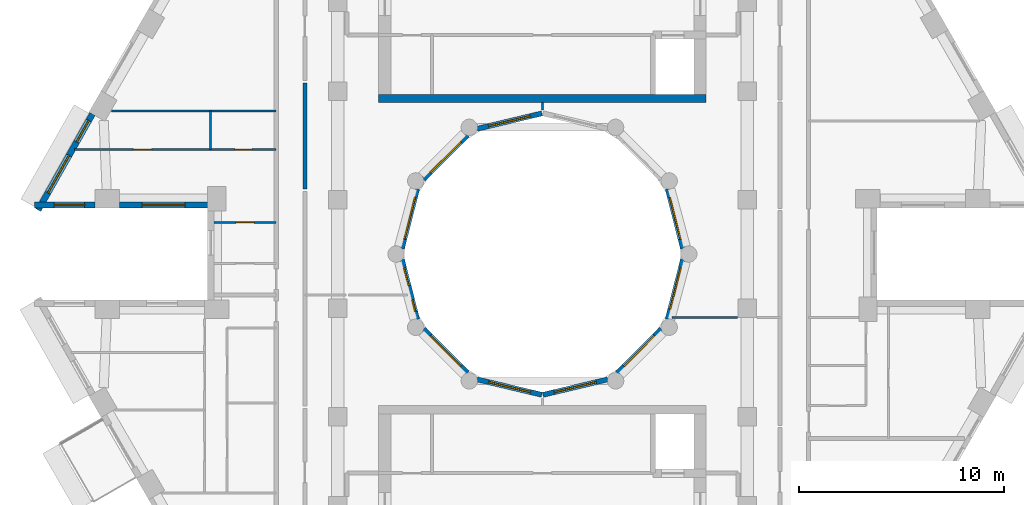
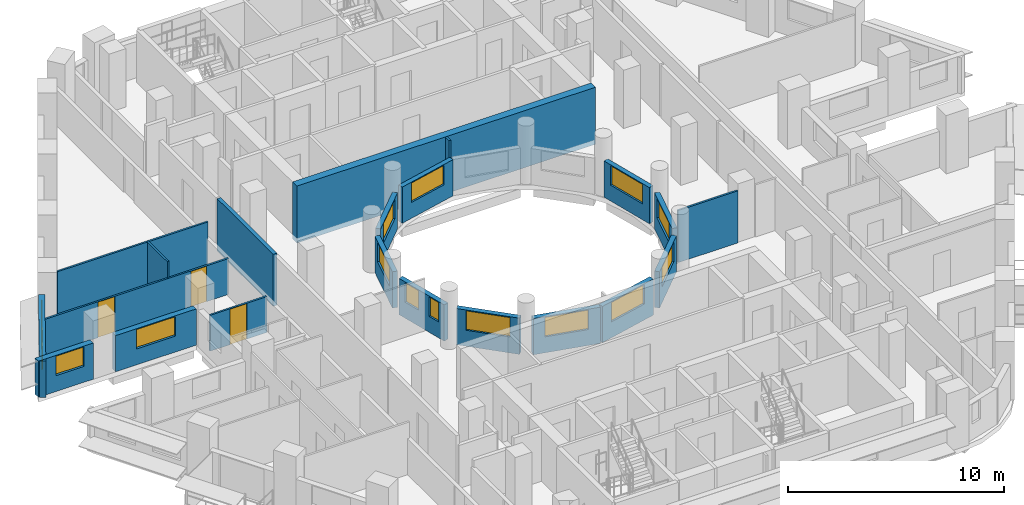
# One storey, part 5 of 15: 21 walls, 15 windows, 3 doors, 18 openings.
"""IFC4 building model written with IfcOpenShell, lengths in metres."""

from ifc_helpers import new_model, si_unit, direction, frame, frame_2d, origin, place, context, subcontext, project, spatial, rectangle, extrude, material, layer, layer_set, type_object, element, fill, save


model = new_model("IFC4")

# Units and contexts
model_context = context("Model", 3, precision=1e-05, world=origin(), true_north=direction((0.0, 1.0)))
body_context = subcontext(model_context, "Body", "Model", "MODEL_VIEW")
ifc_project = project(units=[si_unit("LENGTHUNIT", "METRE"), si_unit("AREAUNIT", "SQUARE_METRE"), si_unit("VOLUMEUNIT", "CUBIC_METRE"), si_unit("PLANEANGLEUNIT", "RADIAN"), si_unit("MASSUNIT", "GRAM", prefix="KILO")], contexts=[model_context])

# Site, building, storey
site_placement = place(None, origin())
site = spatial("IfcSite", under=ifc_project, at=site_placement, CompositionType="ELEMENT")
building_placement = place(site_placement, origin())
building = spatial("IfcBuilding", under=site, at=building_placement, Name="Nakaniwa Court", CompositionType="ELEMENT")
storey_placement = place(building_placement, frame((0.0, 0.0, 216.300048828125)))
storey = spatial("IfcBuildingStorey", under=building, at=storey_placement, Name="L57", CompositionType="ELEMENT", Elevation=216.300048828125)

# Wall
ifc_material_1 = material(Name="Acoustic double stud partition")
ifc_layer_1 = layer(ifc_material_1, 0.199951171875)
ifc_layer_set_1 = layer_set([ifc_layer_1], Name="Acoustic double stud partition")
wall_type_1 = type_object("IfcWallType", Name="Acoustic double stud partition 200", PredefinedType="PARTITIONING", material=ifc_layer_set_1)
wall_1_placement = place(storey_placement, frame((68.39990234375, 83.17724609375, 0.0), z_axis=(0.0, 0.0, 1.0), x_axis=(0.0, 1.0, 0.0)))
element("IfcWall", 1, at=wall_1_placement, inside=storey, type_object=wall_type_1, Name="Partition PW-095", PredefinedType="PARTITIONING", context=body_context, shape_type="SweptSolid", body=[
    extrude(rectangle(XDim=5.185546875, YDim=0.199951171875, at=frame_2d((2.5927734375, 0.0))), origin(), (0.0, 0.0, 1.0), 2.949951171875),
])

# Wall, openings, windows
ifc_material_2 = material(Name="Charcoal ceramic cladding")
ifc_layer_2 = layer(ifc_material_2, 0.02, Name="Ceramic cladding")
ifc_material_3 = material(Name="Ventilated air cavity")
ifc_layer_3 = layer(ifc_material_3, 0.04, ventilated=True, Name="Ventilated cavity")
ifc_material_4 = material(Name="Mineral wool insulation")
ifc_layer_4 = layer(ifc_material_4, 0.1, Name="Insulation")
ifc_material_5 = material(Name="Cement bonded sheathing board")
ifc_layer_5 = layer(ifc_material_5, 0.012, Name="Sheathing")
ifc_material_6 = material(Name="Cold-formed galvanised stud frame with mineral wool infill")
ifc_layer_6 = layer(ifc_material_6, 0.1, Name="Stud frame")
ifc_material_7 = material(Name="Fire-rated gypsum plasterboard lining")
ifc_layer_7 = layer(ifc_material_7, 0.028, Name="Lining")
ifc_layer_set_2 = layer_set([ifc_layer_2, ifc_layer_3, ifc_layer_4, ifc_layer_5, ifc_layer_6, ifc_layer_7], Name="Charcoal ceramic faced external wall system")
wall_type_2 = type_object("IfcWallType", Name="Black ceramic faced external wall 300", PredefinedType="SOLIDWALL", material=ifc_layer_set_2)
wall_2_placement = place(storey_placement, frame((58.023193359375, 86.843017578125, 0.0), z_axis=(0.0, 0.0, 1.0), x_axis=(-0.492033360928, -0.870576344575, 0.0)))
wall_2 = element("IfcWall", 2, at=wall_2_placement, inside=storey, type_object=wall_type_2, Name="L57 external wall 14", PredefinedType="SOLIDWALL", context=body_context, shape_type="SweptSolid", body=[
    extrude(rectangle(XDim=5.38671875, YDim=0.300048828125, at=frame_2d((2.693359375, 0.0))), origin(), (0.0, 0.0, 1.0), 2.050048828125),
])
opening_1_placement = place(wall_2_placement, frame((0.365966796875, 0.0, 0.89990234375)))
opening_1 = element("IfcOpeningElement", 3, at=opening_1_placement, cuts=wall_2, Name="Opening W6.16", PredefinedType="OPENING", context=body_context, shape_type="SweptSolid", body=[
    extrude(rectangle(XDim=1.199951171875, YDim=1.10009765625, at=frame_2d((0.60009765625, 0.550048828125))), frame((0.0, 0.159912109375, 0.0), z_axis=(0.0, -1.0, 0.0), x_axis=(1.0, 0.0, 0.0)), (0.0, 0.0, 1.0), 0.320068359375),
])
opening_2_placement = place(wall_2_placement, frame((2.32080078125, 0.0, 0.89990234375)))
opening_2 = element("IfcOpeningElement", 4, at=opening_2_placement, cuts=wall_2, Name="Opening W7.17", PredefinedType="OPENING", context=body_context, shape_type="SweptSolid", body=[
    extrude(rectangle(XDim=2.10009765625, YDim=1.10009765625, at=frame_2d((1.050048828125, 0.550048828125))), frame((0.0, 0.159912109375, 0.0), z_axis=(0.0, -1.0, 0.0), x_axis=(1.0, 0.0, 0.0)), (0.0, 0.0, 1.0), 0.320068359375),
])
ifc_material_8 = material(Name="Black anodised aluminium frame with dark low-E laminated double glazing", Category="aluminium")
window_type_1 = type_object("IfcWindowType", Name="Dark glass window 1200x1100 sill 900", PartitioningType="SINGLE_PANEL", PredefinedType="WINDOW", material=ifc_material_8)
window_1_placement = place(opening_1_placement, origin())
window_1 = element("IfcWindow", 5, at=window_1_placement, inside=storey, type_object=window_type_1, Name="L57 habitable room window 14-0", OverallHeight=1.10009765625, OverallWidth=1.199951171875, PartitioningType="SINGLE_PANEL", PredefinedType="WINDOW", context=body_context, shape_type="SweptSolid", body=[
    extrude(rectangle(XDim=1.199951171875, YDim=1.10009765625, at=frame_2d((0.60009765625, 0.550048828125))), frame((0.0, 0.030029296875, 0.0), z_axis=(0.0, -1.0, 0.0), x_axis=(1.0, 0.0, 0.0)), (0.0, 0.0, 1.0), 0.06005859375),
])
fill(opening_1, window_1)
window_type_2 = type_object("IfcWindowType", Name="Dark glass window 2100x1100 sill 900", PartitioningType="SINGLE_PANEL", PredefinedType="WINDOW", material=ifc_material_8)
window_2_placement = place(opening_2_placement, origin())
window_2 = element("IfcWindow", 6, at=window_2_placement, inside=storey, type_object=window_type_2, Name="L57 living window 14-1", OverallHeight=1.10009765625, OverallWidth=2.10009765625, PartitioningType="SINGLE_PANEL", PredefinedType="WINDOW", context=body_context, shape_type="SweptSolid", body=[
    extrude(rectangle(XDim=2.10009765625, YDim=1.10009765625, at=frame_2d((1.050048828125, 0.550048828125))), frame((0.0, 0.030029296875, 0.0), z_axis=(0.0, -1.0, 0.0), x_axis=(1.0, 0.0, 0.0)), (0.0, 0.0, 1.0), 0.06005859375),
])
fill(opening_2, window_2)

# Wall, opening, window
wall_3_placement = place(storey_placement, frame((55.2021484375, 82.39990234375, 0.0), z_axis=(0.0, 0.0, 1.0), x_axis=(1.0, 0.0, 0.0)))
wall_3 = element("IfcWall", 7, at=wall_3_placement, inside=storey, type_object=wall_type_2, Name="L57 external wall 15", PredefinedType="SOLIDWALL", context=body_context, shape_type="SweptSolid", body=[
    extrude(rectangle(XDim=2.937744140625, YDim=0.300048828125, at=frame_2d((1.46875, 0.0))), origin(), (0.0, 0.0, 1.0), 2.050048828125),
])
opening_3_placement = place(wall_3_placement, frame((0.944091796875, 0.0, 0.89990234375)))
opening_3 = element("IfcOpeningElement", 8, at=opening_3_placement, cuts=wall_3, Name="Opening W5.18", PredefinedType="OPENING", context=body_context, shape_type="SweptSolid", body=[
    extrude(rectangle(XDim=1.5, YDim=1.10009765625, at=frame_2d((0.75, 0.550048828125))), frame((0.0, 0.159912109375, 0.0), z_axis=(0.0, -1.0, 0.0), x_axis=(1.0, 0.0, 0.0)), (0.0, 0.0, 1.0), 0.320068359375),
])
window_type_3 = type_object("IfcWindowType", Name="Dark glass window 1500x1100 sill 900", PartitioningType="SINGLE_PANEL", PredefinedType="WINDOW", material=ifc_material_8)
window_3_placement = place(opening_3_placement, origin())
window_3 = element("IfcWindow", 9, at=window_3_placement, inside=storey, type_object=window_type_3, Name="L57 living window 15-0", OverallHeight=1.10009765625, OverallWidth=1.5, PartitioningType="SINGLE_PANEL", PredefinedType="WINDOW", context=body_context, shape_type="SweptSolid", body=[
    extrude(rectangle(XDim=1.5, YDim=1.10009765625, at=frame_2d((0.75, 0.550048828125))), frame((0.0, 0.030029296875, 0.0), z_axis=(0.0, -1.0, 0.0), x_axis=(1.0, 0.0, 0.0)), (0.0, 0.0, 1.0), 0.06005859375),
])
fill(opening_3, window_3)

wall_4_placement = place(storey_placement, frame((59.33203125, 82.39990234375, 0.0), z_axis=(0.0, 0.0, 1.0), x_axis=(1.0, 0.0, 0.0)))
wall_4 = element("IfcWall", 10, at=wall_4_placement, inside=storey, type_object=wall_type_2, Name="L57 external wall 16", PredefinedType="SOLIDWALL", context=body_context, shape_type="SweptSolid", body=[
    extrude(rectangle(XDim=4.322509765625, YDim=0.300048828125, at=frame_2d((2.1611328125, 0.0))), origin(), (0.0, 0.0, 1.0), 2.050048828125),
])
opening_4_placement = place(wall_4_placement, frame((1.111083984375, 0.0, 0.89990234375)))
opening_4 = element("IfcOpeningElement", 11, at=opening_4_placement, cuts=wall_4, Name="Opening W7.19", PredefinedType="OPENING", context=body_context, shape_type="SweptSolid", body=[
    extrude(rectangle(XDim=2.10009765625, YDim=1.10009765625, at=frame_2d((1.050048828125, 0.550048828125))), frame((0.0, 0.159912109375, 0.0), z_axis=(0.0, -1.0, 0.0), x_axis=(1.0, 0.0, 0.0)), (0.0, 0.0, 1.0), 0.320068359375),
])
window_4_placement = place(opening_4_placement, origin())
window_4 = element("IfcWindow", 12, at=window_4_placement, inside=storey, type_object=window_type_2, Name="L57 living window 16-0", OverallHeight=1.10009765625, OverallWidth=2.10009765625, PartitioningType="SINGLE_PANEL", PredefinedType="WINDOW", context=body_context, shape_type="SweptSolid", body=[
    extrude(rectangle(XDim=2.10009765625, YDim=1.10009765625, at=frame_2d((1.050048828125, 0.550048828125))), frame((0.0, 0.030029296875, 0.0), z_axis=(0.0, -1.0, 0.0), x_axis=(1.0, 0.0, 0.0)), (0.0, 0.0, 1.0), 0.06005859375),
])
fill(opening_4, window_4)

ifc_layer_8 = layer(ifc_material_2, 0.02, Name="Ceramic cladding")
ifc_layer_9 = layer(ifc_material_3, 0.04, ventilated=True, Name="Ventilated cavity")
ifc_layer_10 = layer(ifc_material_4, 0.075, Name="Insulation")
ifc_layer_11 = layer(ifc_material_5, 0.012, Name="Sheathing")
ifc_layer_12 = layer(ifc_material_6, 0.075, Name="Stud frame")
ifc_layer_13 = layer(ifc_material_7, 0.028, Name="Lining")
ifc_layer_set_3 = layer_set([ifc_layer_8, ifc_layer_9, ifc_layer_10, ifc_layer_11, ifc_layer_12, ifc_layer_13], Name="Charcoal ceramic faced external wall system")
wall_type_3 = type_object("IfcWallType", Name="Charcoal ceramic faced well wall 250", PredefinedType="SOLIDWALL", material=ifc_layer_set_3)
wall_5_placement = place(storey_placement, frame((86.8603515625, 79.72998046875, 0.0), z_axis=(0.0, 0.0, 1.0), x_axis=(-0.247055971283, -0.969001211069, 0.0)))
wall_5 = element("IfcWall", 13, at=wall_5_placement, inside=storey, type_object=wall_type_3, Name="L57 external wall 36", PredefinedType="SOLIDWALL", context=body_context, shape_type="SweptSolid", body=[
    extrude(rectangle(XDim=3.010009765625, YDim=0.25, at=frame_2d((1.5048828125, 0.0))), origin(), (0.0, 0.0, 1.0), 2.050048828125),
])
opening_5_placement = place(wall_5_placement, frame((0.400634765625, 0.0, 0.89990234375)))
opening_5 = element("IfcOpeningElement", 14, at=opening_5_placement, cuts=wall_5, Name="Opening W7.37", PredefinedType="OPENING", context=body_context, shape_type="SweptSolid", body=[
    extrude(rectangle(XDim=2.10009765625, YDim=1.10009765625, at=frame_2d((1.050048828125, 0.550048828125))), frame((0.0, 0.135009765625, 0.0), z_axis=(0.0, -1.0, 0.0), x_axis=(1.0, 0.0, 0.0)), (0.0, 0.0, 1.0), 0.27001953125),
])
window_5_placement = place(opening_5_placement, origin())
window_5 = element("IfcWindow", 15, at=window_5_placement, inside=storey, type_object=window_type_2, Name="L57 habitable room window 36-0", OverallHeight=1.10009765625, OverallWidth=2.10009765625, PartitioningType="SINGLE_PANEL", PredefinedType="WINDOW", context=body_context, shape_type="SweptSolid", body=[
    extrude(rectangle(XDim=2.10009765625, YDim=1.10009765625, at=frame_2d((1.050048828125, 0.550048828125))), frame((0.0, 0.030029296875, 0.0), z_axis=(0.0, -1.0, 0.0), x_axis=(1.0, 0.0, 0.0)), (0.0, 0.0, 1.0), 0.06005859375),
])
fill(opening_5, window_5)

wall_6_placement = place(storey_placement, frame((85.8056640625, 76.339111328125, 0.0), z_axis=(0.0, 0.0, 1.0), x_axis=(-0.707106781187, -0.707106781187, 0.0)))
wall_6 = element("IfcWall", 16, at=wall_6_placement, inside=storey, type_object=wall_type_3, Name="L57 external wall 37", PredefinedType="SOLIDWALL", context=body_context, shape_type="SweptSolid", body=[
    extrude(rectangle(XDim=3.033203125, YDim=0.25, at=frame_2d((1.5166015625, 0.0))), origin(), (0.0, 0.0, 1.0), 2.050048828125),
])
opening_6_placement = place(wall_6_placement, frame((0.466552734375, 0.0, 0.89990234375)))
opening_6 = element("IfcOpeningElement", 17, at=opening_6_placement, cuts=wall_6, Name="Opening W7.38", PredefinedType="OPENING", context=body_context, shape_type="SweptSolid", body=[
    extrude(rectangle(XDim=2.10009765625, YDim=1.10009765625, at=frame_2d((1.050048828125, 0.550048828125))), frame((0.0, 0.135009765625, 0.0), z_axis=(0.0, -1.0, 0.0), x_axis=(1.0, 0.0, 0.0)), (0.0, 0.0, 1.0), 0.27001953125),
])
window_6_placement = place(opening_6_placement, origin())
window_6 = element("IfcWindow", 18, at=window_6_placement, inside=storey, type_object=window_type_2, Name="L57 habitable room window 37-0", OverallHeight=1.10009765625, OverallWidth=2.10009765625, PartitioningType="SINGLE_PANEL", PredefinedType="WINDOW", context=body_context, shape_type="SweptSolid", body=[
    extrude(rectangle(XDim=2.10009765625, YDim=1.10009765625, at=frame_2d((1.050048828125, 0.550048828125))), frame((0.0, 0.030029296875, 0.0), z_axis=(0.0, -1.0, 0.0), x_axis=(1.0, 0.0, 0.0)), (0.0, 0.0, 1.0), 0.06005859375),
])
fill(opening_6, window_6)

wall_7_placement = place(storey_placement, frame((83.186279296875, 73.880615234375, 0.0), z_axis=(0.0, 0.0, 1.0), x_axis=(-0.972773113459, -0.231759508395, 0.0)))
wall_7 = element("IfcWall", 19, at=wall_7_placement, inside=storey, type_object=wall_type_3, Name="L57 external wall 38", PredefinedType="SOLIDWALL", context=body_context, shape_type="SweptSolid", body=[
    extrude(rectangle(XDim=3.24560546875, YDim=0.25, at=frame_2d((1.622802734375, 0.0))), origin(), (0.0, 0.0, 1.0), 2.050048828125),
])
opening_7_placement = place(wall_7_placement, frame((0.57275390625, 0.0, 0.89990234375)))
opening_7 = element("IfcOpeningElement", 20, at=opening_7_placement, cuts=wall_7, Name="Opening W7.39", PredefinedType="OPENING", context=body_context, shape_type="SweptSolid", body=[
    extrude(rectangle(XDim=2.10009765625, YDim=1.10009765625, at=frame_2d((1.050048828125, 0.550048828125))), frame((0.0, 0.135009765625, 0.0), z_axis=(0.0, -1.0, 0.0), x_axis=(1.0, 0.0, 0.0)), (0.0, 0.0, 1.0), 0.27001953125),
])
window_7_placement = place(opening_7_placement, origin())
window_7 = element("IfcWindow", 21, at=window_7_placement, inside=storey, type_object=window_type_2, Name="L57 habitable room window 38-0", OverallHeight=1.10009765625, OverallWidth=2.10009765625, PartitioningType="SINGLE_PANEL", PredefinedType="WINDOW", context=body_context, shape_type="SweptSolid", body=[
    extrude(rectangle(XDim=2.10009765625, YDim=1.10009765625, at=frame_2d((1.050048828125, 0.550048828125))), frame((0.0, 0.030029296875, 0.0), z_axis=(0.0, -1.0, 0.0), x_axis=(1.0, 0.0, 0.0)), (0.0, 0.0, 1.0), 0.06005859375),
])
fill(opening_7, window_7)

wall_8_placement = place(storey_placement, frame((79.970947265625, 73.12841796875, 0.0), z_axis=(0.0, 0.0, 1.0), x_axis=(-0.972773113459, 0.231759508395, 0.0)))
wall_8 = element("IfcWall", 22, at=wall_8_placement, inside=storey, type_object=wall_type_3, Name="L57 external wall 39", PredefinedType="SOLIDWALL", context=body_context, shape_type="SweptSolid", body=[
    extrude(rectangle(XDim=3.24560546875, YDim=0.25, at=frame_2d((1.622802734375, 0.0))), origin(), (0.0, 0.0, 1.0), 2.050048828125),
])
opening_8_placement = place(wall_8_placement, frame((0.57275390625, 0.0, 0.89990234375)))
opening_8 = element("IfcOpeningElement", 23, at=opening_8_placement, cuts=wall_8, Name="Opening W7.40", PredefinedType="OPENING", context=body_context, shape_type="SweptSolid", body=[
    extrude(rectangle(XDim=2.10009765625, YDim=1.10009765625, at=frame_2d((1.050048828125, 0.550048828125))), frame((0.0, 0.135009765625, 0.0), z_axis=(0.0, -1.0, 0.0), x_axis=(1.0, 0.0, 0.0)), (0.0, 0.0, 1.0), 0.27001953125),
])
window_8_placement = place(opening_8_placement, origin())
window_8 = element("IfcWindow", 24, at=window_8_placement, inside=storey, type_object=window_type_2, Name="L57 habitable room window 39-0", OverallHeight=1.10009765625, OverallWidth=2.10009765625, PartitioningType="SINGLE_PANEL", PredefinedType="WINDOW", context=body_context, shape_type="SweptSolid", body=[
    extrude(rectangle(XDim=2.10009765625, YDim=1.10009765625, at=frame_2d((1.050048828125, 0.550048828125))), frame((0.0, 0.030029296875, 0.0), z_axis=(0.0, -1.0, 0.0), x_axis=(1.0, 0.0, 0.0)), (0.0, 0.0, 1.0), 0.06005859375),
])
fill(opening_8, window_8)

wall_9_placement = place(storey_placement, frame((76.339111328125, 74.1943359375, 0.0), z_axis=(0.0, 0.0, 1.0), x_axis=(-0.707106781187, 0.707106781187, 0.0)))
wall_9 = element("IfcWall", 25, at=wall_9_placement, inside=storey, type_object=wall_type_3, Name="L57 external wall 40", PredefinedType="SOLIDWALL", context=body_context, shape_type="SweptSolid", body=[
    extrude(rectangle(XDim=3.033203125, YDim=0.25, at=frame_2d((1.5166015625, 0.0))), origin(), (0.0, 0.0, 1.0), 2.050048828125),
])
opening_9_placement = place(wall_9_placement, frame((0.466552734375, 0.0, 0.89990234375)))
opening_9 = element("IfcOpeningElement", 26, at=opening_9_placement, cuts=wall_9, Name="Opening W7.41", PredefinedType="OPENING", context=body_context, shape_type="SweptSolid", body=[
    extrude(rectangle(XDim=2.10009765625, YDim=1.10009765625, at=frame_2d((1.050048828125, 0.550048828125))), frame((0.0, 0.135009765625, 0.0), z_axis=(0.0, -1.0, 0.0), x_axis=(1.0, 0.0, 0.0)), (0.0, 0.0, 1.0), 0.27001953125),
])
window_9_placement = place(opening_9_placement, origin())
window_9 = element("IfcWindow", 27, at=window_9_placement, inside=storey, type_object=window_type_2, Name="L57 habitable room window 40-0", OverallHeight=1.10009765625, OverallWidth=2.10009765625, PartitioningType="SINGLE_PANEL", PredefinedType="WINDOW", context=body_context, shape_type="SweptSolid", body=[
    extrude(rectangle(XDim=2.10009765625, YDim=1.10009765625, at=frame_2d((1.050048828125, 0.550048828125))), frame((0.0, 0.030029296875, 0.0), z_axis=(0.0, -1.0, 0.0), x_axis=(1.0, 0.0, 0.0)), (0.0, 0.0, 1.0), 0.06005859375),
])
fill(opening_9, window_9)

# Wall, openings, windows
wall_10_placement = place(storey_placement, frame((73.88330078125, 76.813232421875, 0.0), z_axis=(0.0, 0.0, 1.0), x_axis=(-0.247055971283, 0.969001211069, 0.0)))
wall_10 = element("IfcWall", 28, at=wall_10_placement, inside=storey, type_object=wall_type_3, Name="L57 external wall 41", PredefinedType="SOLIDWALL", context=body_context, shape_type="SweptSolid", body=[
    extrude(rectangle(XDim=3.010009765625, YDim=0.25, at=frame_2d((1.5048828125, 0.0))), origin(), (0.0, 0.0, 1.0), 2.050048828125),
])
opening_10_placement = place(wall_10_placement, frame((0.3916015625, 0.0, 0.89990234375)))
opening_10 = element("IfcOpeningElement", 29, at=opening_10_placement, cuts=wall_10, Name="Opening W8.42", PredefinedType="OPENING", context=body_context, shape_type="SweptSolid", body=[
    extrude(rectangle(XDim=0.60009765625, YDim=1.10009765625, at=frame_2d((0.300048828125, 0.550048828125))), frame((0.0, 0.135009765625, 0.0), z_axis=(0.0, -1.0, 0.0), x_axis=(1.0, 0.0, 0.0)), (0.0, 0.0, 1.0), 0.27001953125),
])
opening_11_placement = place(wall_10_placement, frame((1.69140625, 0.0, 0.89990234375)))
opening_11 = element("IfcOpeningElement", 30, at=opening_11_placement, cuts=wall_10, Name="Opening W9.43", PredefinedType="OPENING", context=body_context, shape_type="SweptSolid", body=[
    extrude(rectangle(XDim=0.89990234375, YDim=1.10009765625, at=frame_2d((0.449951171875, 0.550048828125))), frame((0.0, 0.135009765625, 0.0), z_axis=(0.0, -1.0, 0.0), x_axis=(1.0, 0.0, 0.0)), (0.0, 0.0, 1.0), 0.27001953125),
])
window_type_4 = type_object("IfcWindowType", Name="Dark glass window 600x1100 sill 900", PartitioningType="SINGLE_PANEL", PredefinedType="WINDOW", material=ifc_material_8)
window_10_placement = place(opening_10_placement, origin())
window_10 = element("IfcWindow", 31, at=window_10_placement, inside=storey, type_object=window_type_4, Name="L57 habitable room window 41-0", OverallHeight=1.10009765625, OverallWidth=0.60009765625, PartitioningType="SINGLE_PANEL", PredefinedType="WINDOW", context=body_context, shape_type="SweptSolid", body=[
    extrude(rectangle(XDim=0.60009765625, YDim=1.10009765625, at=frame_2d((0.300048828125, 0.550048828125))), frame((0.0, 0.030029296875, 0.0), z_axis=(0.0, -1.0, 0.0), x_axis=(1.0, 0.0, 0.0)), (0.0, 0.0, 1.0), 0.06005859375),
])
fill(opening_10, window_10)
window_type_5 = type_object("IfcWindowType", Name="Dark glass window 900x1100 sill 900", PartitioningType="SINGLE_PANEL", PredefinedType="WINDOW", material=ifc_material_8)
window_11_placement = place(opening_11_placement, origin())
window_11 = element("IfcWindow", 32, at=window_11_placement, inside=storey, type_object=window_type_5, Name="L57 habitable room window 41-1", OverallHeight=1.10009765625, OverallWidth=0.89990234375, PartitioningType="SINGLE_PANEL", PredefinedType="WINDOW", context=body_context, shape_type="SweptSolid", body=[
    extrude(rectangle(XDim=0.89990234375, YDim=1.10009765625, at=frame_2d((0.449951171875, 0.550048828125))), frame((0.0, 0.030029296875, 0.0), z_axis=(0.0, -1.0, 0.0), x_axis=(1.0, 0.0, 0.0)), (0.0, 0.0, 1.0), 0.06005859375),
])
fill(opening_11, window_11)

# Wall, opening, window
wall_11_placement = place(storey_placement, frame((73.1396484375, 80.27001953125, 0.0), z_axis=(0.0, 0.0, 1.0), x_axis=(0.247055971283, 0.969001211069, 0.0)))
wall_11 = element("IfcWall", 33, at=wall_11_placement, inside=storey, type_object=wall_type_3, Name="L57 external wall 42", PredefinedType="SOLIDWALL", context=body_context, shape_type="SweptSolid", body=[
    extrude(rectangle(XDim=3.010009765625, YDim=0.25, at=frame_2d((1.5048828125, 0.0))), origin(), (0.0, 0.0, 1.0), 2.050048828125),
])
opening_12_placement = place(wall_11_placement, frame((0.46875, 0.0, 0.89990234375)))
opening_12 = element("IfcOpeningElement", 34, at=opening_12_placement, cuts=wall_11, Name="Opening W7.44", PredefinedType="OPENING", context=body_context, shape_type="SweptSolid", body=[
    extrude(rectangle(XDim=2.10009765625, YDim=1.10009765625, at=frame_2d((1.050048828125, 0.550048828125))), frame((0.0, 0.135009765625, 0.0), z_axis=(0.0, -1.0, 0.0), x_axis=(1.0, 0.0, 0.0)), (0.0, 0.0, 1.0), 0.27001953125),
])
window_12_placement = place(opening_12_placement, origin())
window_12 = element("IfcWindow", 35, at=window_12_placement, inside=storey, type_object=window_type_2, Name="L57 habitable room window 42-0", OverallHeight=1.10009765625, OverallWidth=2.10009765625, PartitioningType="SINGLE_PANEL", PredefinedType="WINDOW", context=body_context, shape_type="SweptSolid", body=[
    extrude(rectangle(XDim=2.10009765625, YDim=1.10009765625, at=frame_2d((1.050048828125, 0.550048828125))), frame((0.0, 0.030029296875, 0.0), z_axis=(0.0, -1.0, 0.0), x_axis=(1.0, 0.0, 0.0)), (0.0, 0.0, 1.0), 0.06005859375),
])
fill(opening_12, window_12)

wall_12_placement = place(storey_placement, frame((74.1943359375, 83.660888671875, 0.0), z_axis=(0.0, 0.0, 1.0), x_axis=(0.707106781187, 0.707106781187, 0.0)))
wall_12 = element("IfcWall", 36, at=wall_12_placement, inside=storey, type_object=wall_type_3, Name="L57 external wall 43", PredefinedType="SOLIDWALL", context=body_context, shape_type="SweptSolid", body=[
    extrude(rectangle(XDim=3.033203125, YDim=0.25, at=frame_2d((1.5166015625, 0.0))), origin(), (0.0, 0.0, 1.0), 2.050048828125),
])
opening_13_placement = place(wall_12_placement, frame((0.466552734375, 0.0, 0.89990234375)))
opening_13 = element("IfcOpeningElement", 37, at=opening_13_placement, cuts=wall_12, Name="Opening W7.45", PredefinedType="OPENING", context=body_context, shape_type="SweptSolid", body=[
    extrude(rectangle(XDim=2.10009765625, YDim=1.10009765625, at=frame_2d((1.050048828125, 0.550048828125))), frame((0.0, 0.135009765625, 0.0), z_axis=(0.0, -1.0, 0.0), x_axis=(1.0, 0.0, 0.0)), (0.0, 0.0, 1.0), 0.27001953125),
])
window_13_placement = place(opening_13_placement, origin())
window_13 = element("IfcWindow", 38, at=window_13_placement, inside=storey, type_object=window_type_2, Name="L57 habitable room window 43-0", OverallHeight=1.10009765625, OverallWidth=2.10009765625, PartitioningType="SINGLE_PANEL", PredefinedType="WINDOW", context=body_context, shape_type="SweptSolid", body=[
    extrude(rectangle(XDim=2.10009765625, YDim=1.10009765625, at=frame_2d((1.050048828125, 0.550048828125))), frame((0.0, 0.030029296875, 0.0), z_axis=(0.0, -1.0, 0.0), x_axis=(1.0, 0.0, 0.0)), (0.0, 0.0, 1.0), 0.06005859375),
])
fill(opening_13, window_13)

wall_13_placement = place(storey_placement, frame((76.813720703125, 86.119384765625, 0.0), z_axis=(0.0, 0.0, 1.0), x_axis=(0.972773113459, 0.231759508395, 0.0)))
wall_13 = element("IfcWall", 39, at=wall_13_placement, inside=storey, type_object=wall_type_3, Name="L57 external wall 44", PredefinedType="SOLIDWALL", context=body_context, shape_type="SweptSolid", body=[
    extrude(rectangle(XDim=3.24560546875, YDim=0.25, at=frame_2d((1.622802734375, 0.0))), origin(), (0.0, 0.0, 1.0), 2.050048828125),
])
opening_14_placement = place(wall_13_placement, frame((0.57275390625, 0.0, 0.89990234375)))
opening_14 = element("IfcOpeningElement", 40, at=opening_14_placement, cuts=wall_13, Name="Opening W7.46", PredefinedType="OPENING", context=body_context, shape_type="SweptSolid", body=[
    extrude(rectangle(XDim=2.10009765625, YDim=1.10009765625, at=frame_2d((1.050048828125, 0.550048828125))), frame((0.0, 0.135009765625, 0.0), z_axis=(0.0, -1.0, 0.0), x_axis=(1.0, 0.0, 0.0)), (0.0, 0.0, 1.0), 0.27001953125),
])
window_14_placement = place(opening_14_placement, origin())
window_14 = element("IfcWindow", 41, at=window_14_placement, inside=storey, type_object=window_type_2, Name="L57 habitable room window 44-0", OverallHeight=1.10009765625, OverallWidth=2.10009765625, PartitioningType="SINGLE_PANEL", PredefinedType="WINDOW", context=body_context, shape_type="SweptSolid", body=[
    extrude(rectangle(XDim=2.10009765625, YDim=1.10009765625, at=frame_2d((1.050048828125, 0.550048828125))), frame((0.0, 0.030029296875, 0.0), z_axis=(0.0, -1.0, 0.0), x_axis=(1.0, 0.0, 0.0)), (0.0, 0.0, 1.0), 0.06005859375),
])
fill(opening_14, window_14)

wall_14_placement = place(storey_placement, frame((86.11669921875, 83.186767578125, 0.0), z_axis=(0.0, 0.0, 1.0), x_axis=(0.247055971283, -0.969001211069, 0.0)))
wall_14 = element("IfcWall", 42, at=wall_14_placement, inside=storey, type_object=wall_type_3, Name="L57 external wall 47", PredefinedType="SOLIDWALL", context=body_context, shape_type="SweptSolid", body=[
    extrude(rectangle(XDim=3.010009765625, YDim=0.25, at=frame_2d((1.5048828125, 0.0))), origin(), (0.0, 0.0, 1.0), 2.050048828125),
])
opening_15_placement = place(wall_14_placement, frame((0.441162109375, 0.0, 0.89990234375)))
opening_15 = element("IfcOpeningElement", 43, at=opening_15_placement, cuts=wall_14, Name="Opening W7.49", PredefinedType="OPENING", context=body_context, shape_type="SweptSolid", body=[
    extrude(rectangle(XDim=2.10009765625, YDim=1.10009765625, at=frame_2d((1.050048828125, 0.550048828125))), frame((0.0, 0.135009765625, 0.0), z_axis=(0.0, -1.0, 0.0), x_axis=(1.0, 0.0, 0.0)), (0.0, 0.0, 1.0), 0.27001953125),
])
window_15_placement = place(opening_15_placement, origin())
window_15 = element("IfcWindow", 44, at=window_15_placement, inside=storey, type_object=window_type_2, Name="L57 habitable room window 47-0", OverallHeight=1.10009765625, OverallWidth=2.10009765625, PartitioningType="SINGLE_PANEL", PredefinedType="WINDOW", context=body_context, shape_type="SweptSolid", body=[
    extrude(rectangle(XDim=2.10009765625, YDim=1.10009765625, at=frame_2d((1.050048828125, 0.550048828125))), frame((0.0, 0.030029296875, 0.0), z_axis=(0.0, -1.0, 0.0), x_axis=(1.0, 0.0, 0.0)), (0.0, 0.0, 1.0), 0.06005859375),
])
fill(opening_15, window_15)

# Walls
ifc_material_9 = material(Name="Concrete C80/100", Category="concrete")
ifc_layer_14 = layer(ifc_material_9, 0.39990234375)
ifc_layer_set_4 = layer_set([ifc_layer_14], Name="Concrete C80/100")
wall_type_4 = type_object("IfcWallType", Name="Concrete core well wall 400 C80", PredefinedType="SHEAR", material=ifc_layer_set_4)
wall_15_placement = place(storey_placement, frame((72.00390625, 87.60009765625, -0.275146484375), z_axis=(0.0, 0.0, 1.0), x_axis=(1.0, 0.0, 0.0)))
element("IfcWall", 45, at=wall_15_placement, inside=storey, type_object=wall_type_4, Name="Core wall SW-134", PredefinedType="SHEAR", context=body_context, shape_type="SweptSolid", body=[
    extrude(rectangle(XDim=15.9921875, YDim=0.39990234375, at=frame_2d((7.99609375, 0.0))), origin(), (0.0, 0.0, 1.0), 3.22509765625),
])
ifc_material_10 = material(Name="Single stud plasterboard partition")
ifc_layer_15 = layer(ifc_material_10, 0.10009765625)
ifc_layer_set_5 = layer_set([ifc_layer_15], Name="Single stud plasterboard partition")
wall_type_5 = type_object("IfcWallType", Name="Single stud plasterboard partition 100", PredefinedType="PARTITIONING", material=ifc_layer_set_5)
wall_16_placement = place(storey_placement, frame((80.0, 87.048095703125, 0.0), z_axis=(0.0, 0.0, 1.0), x_axis=(0.0, 1.0, 0.0)))
element("IfcWall", 46, at=wall_16_placement, inside=storey, type_object=wall_type_5, Name="Partition PW-105", PredefinedType="PARTITIONING", context=body_context, shape_type="SweptSolid", body=[
    extrude(rectangle(XDim=0.351806640625, YDim=0.10009765625, at=frame_2d((0.17578125, 0.0))), origin(), (0.0, 0.0, 1.0), 2.949951171875),
])
wall_17_placement = place(storey_placement, frame((86.328369140625, 76.89990234375, 0.0), z_axis=(0.0, 0.0, 1.0), x_axis=(1.0, 0.0, 0.0)))
element("IfcWall", 47, at=wall_17_placement, inside=storey, type_object=wall_type_5, Name="Partition PW-111", PredefinedType="PARTITIONING", context=body_context, shape_type="SweptSolid", body=[
    extrude(rectangle(XDim=3.20166015625, YDim=0.10009765625, at=frame_2d((1.600830078125, 0.0))), origin(), (0.0, 0.0, 1.0), 2.949951171875),
])

# Wall, opening, door
wall_18_placement = place(storey_placement, frame((63.950439453125, 81.550048828125, 0.0), z_axis=(0.0, 0.0, 1.0), x_axis=(1.0, 0.0, 0.0)))
wall_18 = element("IfcWall", 48, at=wall_18_placement, inside=storey, type_object=wall_type_5, Name="Partition PW-130", PredefinedType="PARTITIONING", context=body_context, shape_type="SweptSolid", body=[
    extrude(rectangle(XDim=3.048583984375, YDim=0.10009765625, at=frame_2d((1.5244140625, 0.0))), origin(), (0.0, 0.0, 1.0), 2.030029296875),
])
opening_16_placement = place(wall_18_placement, frame((1.073974609375, 0.0, 0.0)))
opening_16 = element("IfcOpeningElement", 49, at=opening_16_placement, cuts=wall_18, Name="Opening D-37-03", PredefinedType="OPENING", context=body_context, shape_type="SweptSolid", body=[
    extrude(rectangle(XDim=0.89990234375, YDim=2.010009765625, at=frame_2d((0.449951171875, 1.0048828125))), frame((0.0, 0.06005859375, 0.0), z_axis=(0.0, -1.0, 0.0), x_axis=(1.0, 0.0, 0.0)), (0.0, 0.0, 1.0), 0.1201171875),
])
ifc_material_11 = material(Name="Solid core timber door set, black veneer", Category="wood")
door_type_1 = type_object("IfcDoorType", Name="Internal door 900 x 2010", OperationType="NOTDEFINED", PredefinedType="DOOR", material=ifc_material_11)
door_1_placement = place(opening_16_placement, origin())
door_1 = element("IfcDoor", 50, at=door_1_placement, inside=storey, type_object=door_type_1, Name="Door D-37-03 L57-043", OperationType="SINGLE_SWING_RIGHT", OverallHeight=2.010009765625, OverallWidth=0.89990234375, PredefinedType="DOOR", context=body_context, shape_type="SweptSolid", body=[
    extrude(rectangle(XDim=0.89990234375, YDim=2.010009765625, at=frame_2d((0.449951171875, 1.0048828125))), frame((0.0, 0.02490234375, 0.0), z_axis=(0.0, -1.0, 0.0), x_axis=(1.0, 0.0, 0.0)), (0.0, 0.0, 1.0), 0.050048828125),
])
fill(opening_16, door_1)

# Wall, openings, doors
wall_19_placement = place(storey_placement, frame((57.136962890625, 85.10009765625, 0.0), z_axis=(0.0, 0.0, 1.0), x_axis=(1.0, 0.0, 0.0)))
wall_19 = element("IfcWall", 51, at=wall_19_placement, inside=storey, type_object=wall_type_5, Name="Partition PW-131", PredefinedType="PARTITIONING", context=body_context, shape_type="SweptSolid", body=[
    extrude(rectangle(XDim=9.862060546875, YDim=0.10009765625, at=frame_2d((4.93115234375, 0.0))), origin(), (0.0, 0.0, 1.0), 2.030029296875),
])
opening_17_placement = place(wall_19_placement, frame((7.8369140625, 0.0, 0.0)))
opening_17 = element("IfcOpeningElement", 52, at=opening_17_placement, cuts=wall_19, Name="Opening D-38-02", PredefinedType="OPENING", context=body_context, shape_type="SweptSolid", body=[
    extrude(rectangle(XDim=0.85009765625, YDim=2.010009765625, at=frame_2d((0.425048828125, 1.0048828125))), frame((0.0, 0.06005859375, 0.0), z_axis=(0.0, -1.0, 0.0), x_axis=(1.0, 0.0, 0.0)), (0.0, 0.0, 1.0), 0.1201171875),
])
opening_18_placement = place(wall_19_placement, frame((2.881103515625, 0.0, 0.0)))
opening_18 = element("IfcOpeningElement", 53, at=opening_18_placement, cuts=wall_19, Name="Opening D-37-04", PredefinedType="OPENING", context=body_context, shape_type="SweptSolid", body=[
    extrude(rectangle(XDim=0.89990234375, YDim=2.010009765625, at=frame_2d((0.449951171875, 1.0048828125))), frame((0.0, 0.06005859375, 0.0), z_axis=(0.0, -1.0, 0.0), x_axis=(1.0, 0.0, 0.0)), (0.0, 0.0, 1.0), 0.1201171875),
])
ifc_material_12 = material(Name="Moisture sealed timber door set", Category="wood")
door_type_2 = type_object("IfcDoorType", Name="Bathroom door 850 x 2010", OperationType="NOTDEFINED", PredefinedType="DOOR", material=ifc_material_12)
door_2_placement = place(opening_17_placement, origin())
door_2 = element("IfcDoor", 54, at=door_2_placement, inside=storey, type_object=door_type_2, Name="Door D-38-02 L57-044", OperationType="SINGLE_SWING_LEFT", OverallHeight=2.010009765625, OverallWidth=0.85009765625, PredefinedType="DOOR", context=body_context, shape_type="SweptSolid", body=[
    extrude(rectangle(XDim=0.85009765625, YDim=2.010009765625, at=frame_2d((0.425048828125, 1.0048828125))), frame((0.0, 0.02490234375, 0.0), z_axis=(0.0, -1.0, 0.0), x_axis=(1.0, 0.0, 0.0)), (0.0, 0.0, 1.0), 0.050048828125),
])
fill(opening_17, door_2)
door_3_placement = place(opening_18_placement, origin())
door_3 = element("IfcDoor", 55, at=door_3_placement, inside=storey, type_object=door_type_1, Name="Door D-37-04 L57-045", OperationType="SINGLE_SWING_RIGHT", OverallHeight=2.010009765625, OverallWidth=0.89990234375, PredefinedType="DOOR", context=body_context, shape_type="SweptSolid", body=[
    extrude(rectangle(XDim=0.89990234375, YDim=2.010009765625, at=frame_2d((0.449951171875, 1.0048828125))), frame((0.0, 0.02490234375, 0.0), z_axis=(0.0, -1.0, 0.0), x_axis=(1.0, 0.0, 0.0)), (0.0, 0.0, 1.0), 0.050048828125),
])
fill(opening_18, door_3)

# Walls
wall_20_placement = place(storey_placement, frame((63.799072265625, 85.10009765625, 0.0), z_axis=(0.0, 0.0, 1.0), x_axis=(0.0, 1.0, 0.0)))
element("IfcWall", 56, at=wall_20_placement, inside=storey, type_object=wall_type_5, Name="Partition PW-132", PredefinedType="PARTITIONING", context=body_context, shape_type="SweptSolid", body=[
    extrude(rectangle(XDim=1.89990234375, YDim=0.10009765625, at=frame_2d((0.949951171875, 0.0))), origin(), (0.0, 0.0, 1.0), 2.949951171875),
])
wall_21_placement = place(storey_placement, frame((58.94970703125, 87.0, 0.0), z_axis=(0.0, 0.0, 1.0), x_axis=(1.0, 0.0, 0.0)))
element("IfcWall", 57, at=wall_21_placement, inside=storey, type_object=wall_type_5, Name="Partition PW-133", PredefinedType="PARTITIONING", context=body_context, shape_type="SweptSolid", body=[
    extrude(rectangle(XDim=8.04931640625, YDim=0.10009765625, at=frame_2d((4.024658203125, 0.0))), origin(), (0.0, 0.0, 1.0), 2.949951171875),
])

save(model, "model.ifc")
